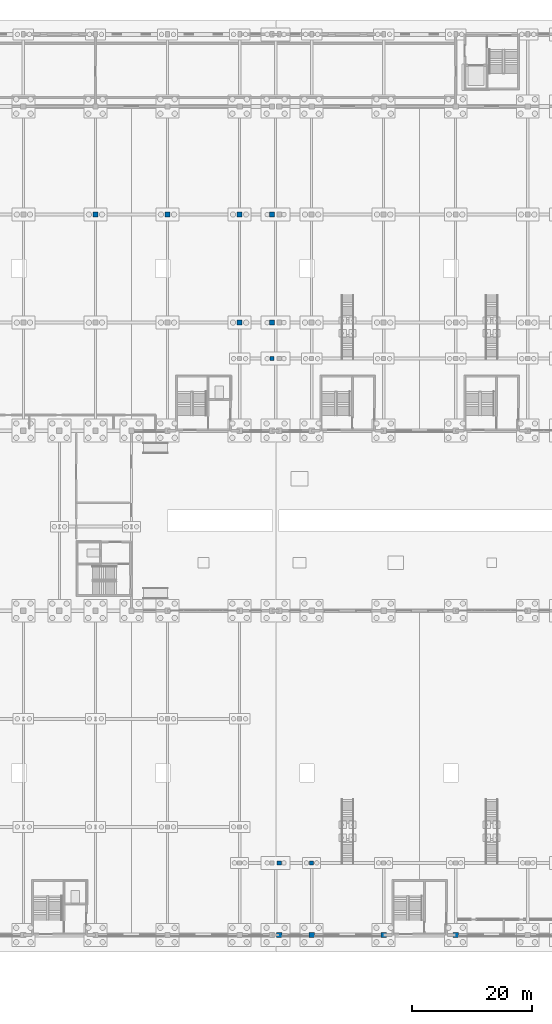
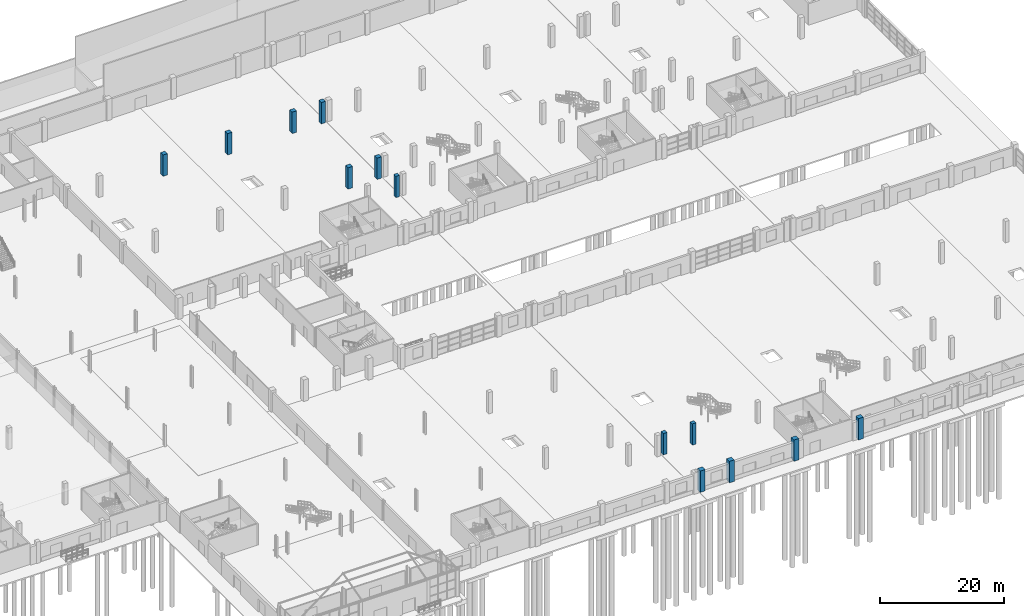
# One storey, part 25 of 77: 13 columns.
"""IFC4 building model written with IfcOpenShell, lengths in metres."""

from ifc_helpers import new_model, si_unit, direction, frame, origin, origin_2d, place, context, subcontext, project, spatial, rectangle, extrude, material, material_profile, profile_set, type_object, element, save


model = new_model("IFC4")

# Units and contexts
model_context = context("Model", 3, precision=1e-05, world=origin(), true_north=direction((0.0, 1.0)))
body_context = subcontext(model_context, "Body", "Model", "MODEL_VIEW")
ifc_project = project(units=[si_unit("LENGTHUNIT", "METRE"), si_unit("AREAUNIT", "SQUARE_METRE"), si_unit("VOLUMEUNIT", "CUBIC_METRE"), si_unit("PLANEANGLEUNIT", "RADIAN"), si_unit("MASSUNIT", "GRAM", prefix="KILO")], contexts=[model_context])

# Site, building, storey
site_placement = place(None, origin())
site = spatial("IfcSite", under=ifc_project, at=site_placement, CompositionType="ELEMENT")
building_placement = place(site_placement, origin())
building = spatial("IfcBuilding", under=site, at=building_placement, Name="Zilviju Railside Exhibition Hall", CompositionType="ELEMENT")
storey_placement = place(building_placement, origin())
storey = spatial("IfcBuildingStorey", under=building, at=storey_placement, Name="L01", CompositionType="ELEMENT", Elevation=0.0)

# Columns
ifc_material_1 = material(Name="Concrete C35/45", Category="concrete")
ifc_material_profile_1 = material_profile(ifc_material_1, rectangle(XDim=0.699951171875, YDim=0.699951171875, at=origin_2d()), Name="RC COL 700x700")
ifc_profile_set_1 = profile_set([ifc_material_profile_1], Name="Concrete C35/45")
column_type_1 = type_object("IfcColumnType", Name="COL-RC-700", PredefinedType="COLUMN", material=ifc_profile_set_1)
for number, where, z_axis, x_axis, name in (
    (1, (126.60009765625, 12.0, 0.0), (0.0, 0.0, 1.0), (1.0, 0.0, 0.0), "Structural Column L01 (126.6, 12.0)"),
    (2, (132.0, 12.0, 0.0), (0.0, 0.0, 1.0), (1.0, 0.0, 0.0), "Structural Column L01 (132.0, 12.0)"),
    (3, (125.39990234375, 96.0, 0.0), (0.0, 0.0, 1.0), (1.0, 0.0, 0.0), "Structural Column L01 (125.4, 96.0)"),
):
    element("IfcColumn", number, at=place(storey_placement, frame(where, z_axis=z_axis, x_axis=x_axis)), inside=storey, type_object=column_type_1, Name=name, PredefinedType="COLUMN", context=body_context, shape_type="SweptSolid", body=[
        extrude(rectangle(XDim=0.699951171875, YDim=0.699951171875, at=origin_2d()), origin(), (0.0, 0.0, 1.0), 4.199951171875),
    ])
ifc_material_2 = material(Name="Concrete C40/50", Category="concrete")
ifc_material_profile_2 = material_profile(ifc_material_2, rectangle(XDim=0.800048828125, YDim=0.800048828125, at=origin_2d()), Name="RC COL 800x800")
ifc_profile_set_2 = profile_set([ifc_material_profile_2], Name="Concrete C40/50")
column_type_2 = type_object("IfcColumnType", Name="COL-RC-800", PredefinedType="COLUMN", material=ifc_profile_set_2)
for number, where, z_axis, x_axis, name in (
    (4, (120.0, 102.0, 0.0), (0.0, 0.0, 1.0), (1.0, 0.0, 0.0), "Structural Column L01 (120.0, 102.0)"),
    (5, (125.39990234375, 102.0, 0.0), (0.0, 0.0, 1.0), (1.0, 0.0, 0.0), "Structural Column L01 (125.4, 102.0)"),
    (6, (96.0, 120.0, 0.0), (0.0, 0.0, 1.0), (1.0, 0.0, 0.0), "Structural Column L01 (96.0, 120.0)"),
    (7, (108.0, 120.0, 0.0), (0.0, 0.0, 1.0), (1.0, 0.0, 0.0), "Structural Column L01 (108.0, 120.0)"),
    (8, (120.0, 120.0, 0.0), (0.0, 0.0, 1.0), (1.0, 0.0, 0.0), "Structural Column L01 (120.0, 120.0)"),
    (9, (125.39990234375, 120.0, 0.0), (0.0, 0.0, 1.0), (1.0, 0.0, 0.0), "Structural Column L01 (125.4, 120.0)"),
):
    element("IfcColumn", number, at=place(storey_placement, frame(where, z_axis=z_axis, x_axis=x_axis)), inside=storey, type_object=column_type_2, Name=name, PredefinedType="COLUMN", context=body_context, shape_type="SweptSolid", body=[
        extrude(rectangle(XDim=0.800048828125, YDim=0.800048828125, at=origin_2d()), origin(), (0.0, 0.0, 1.0), 4.199951171875),
    ])
ifc_material_profile_3 = material_profile(ifc_material_2, rectangle(XDim=0.89990234375, YDim=0.89990234375, at=origin_2d()), Name="RC COL 900x900")
ifc_profile_set_3 = profile_set([ifc_material_profile_3], Name="Concrete C40/50")
column_type_3 = type_object("IfcColumnType", Name="COL-RC-900", PredefinedType="COLUMN", material=ifc_profile_set_3)
for number, where, z_axis, x_axis, name in (
    (10, (126.60009765625, 0.0, 0.0), (0.0, 0.0, 1.0), (1.0, 0.0, 0.0), "Structural Column L01 (126.6, 0.0)"),
    (11, (132.0, 0.0, 0.0), (0.0, 0.0, 1.0), (1.0, 0.0, 0.0), "Structural Column L01 (132.0, 0.0)"),
    (12, (144.0, 0.0, 0.0), (0.0, 0.0, 1.0), (1.0, 0.0, 0.0), "Structural Column L01 (144.0, 0.0)"),
    (13, (156.0, 0.0, 0.0), (0.0, 0.0, 1.0), (1.0, 0.0, 0.0), "Structural Column L01 (156.0, 0.0)"),
):
    element("IfcColumn", number, at=place(storey_placement, frame(where, z_axis=z_axis, x_axis=x_axis)), inside=storey, type_object=column_type_3, Name=name, PredefinedType="COLUMN", context=body_context, shape_type="SweptSolid", body=[
        extrude(rectangle(XDim=0.89990234375, YDim=0.89990234375, at=origin_2d()), origin(), (0.0, 0.0, 1.0), 4.199951171875),
    ])

save(model, "model.ifc")
